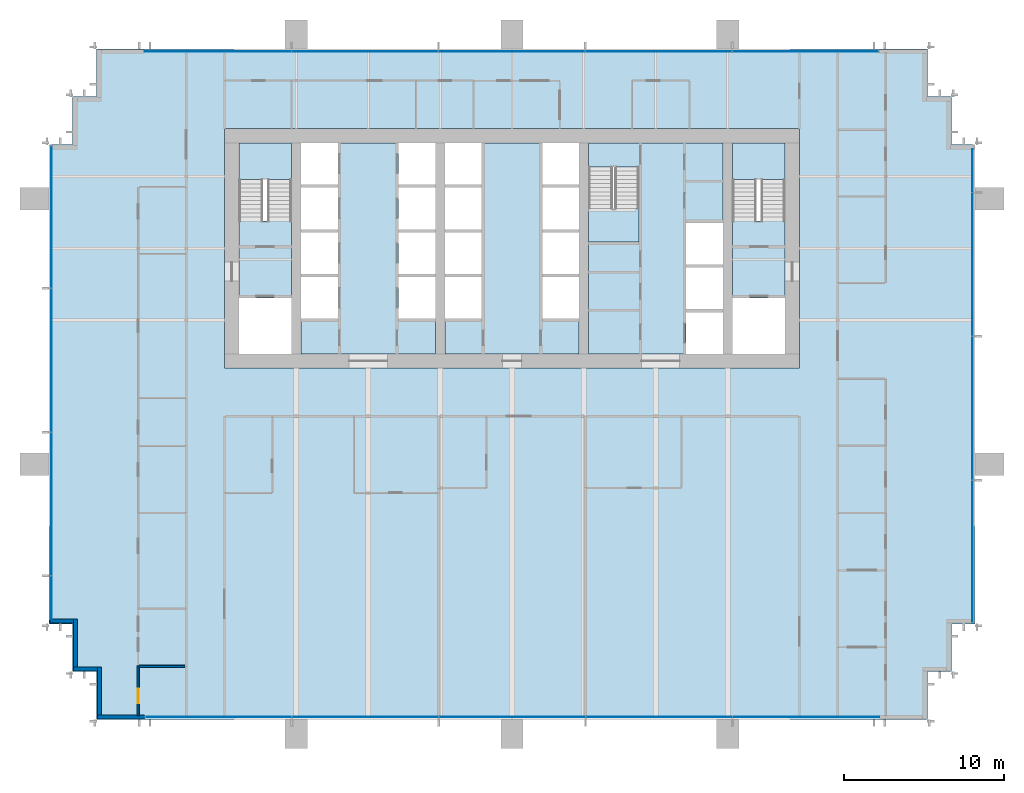
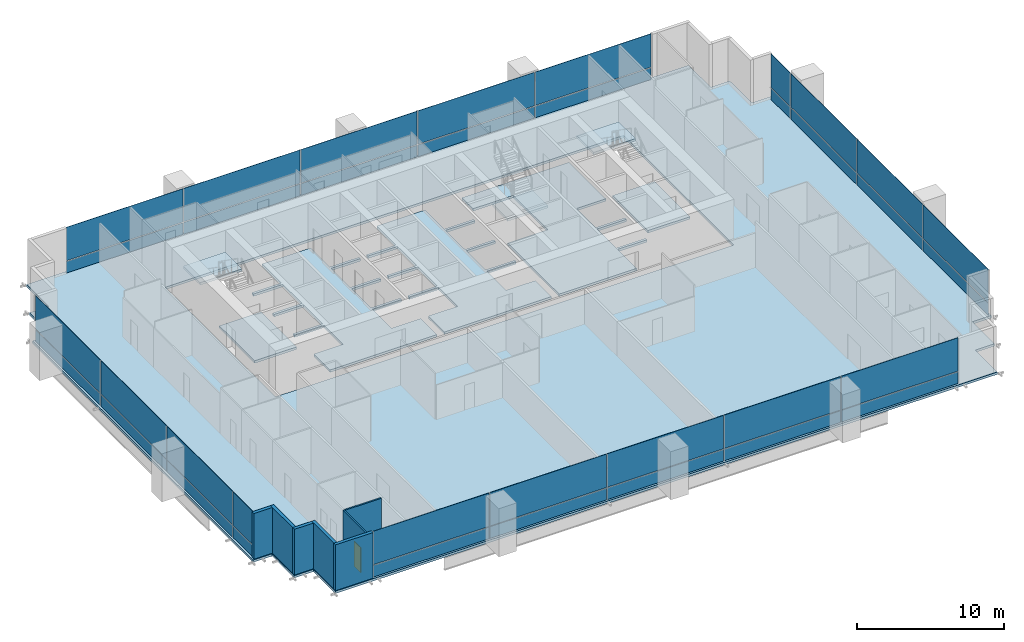
# One storey, part 9 of 15: 36 plates, 9 slabs, 7 walls, 1 door, 1 opening, 7 elements without a shape of their own.
"""IFC4 building model written with IfcOpenShell, lengths in metres."""

from ifc_helpers import new_model, si_unit, direction, frame, frame_2d, origin, origin_2d, place, context, subcontext, project, spatial, polyline, rectangle, outline, extrude, material, layer, layer_set, type_object, element, fill, aggregate, save


model = new_model("IFC4")

# Units and contexts
model_context = context("Model", 3, precision=1e-05, world=origin(), true_north=direction((0.0, 1.0)))
body_context = subcontext(model_context, "Body", "Model", "MODEL_VIEW")
ifc_project = project(units=[si_unit("LENGTHUNIT", "METRE"), si_unit("AREAUNIT", "SQUARE_METRE"), si_unit("VOLUMEUNIT", "CUBIC_METRE"), si_unit("PLANEANGLEUNIT", "RADIAN"), si_unit("MASSUNIT", "GRAM", prefix="KILO")], contexts=[model_context])

# Site, building, storey
site_placement = place(None, origin())
site = spatial("IfcSite", under=ifc_project, at=site_placement, CompositionType="ELEMENT")
building_placement = place(site_placement, origin())
building = spatial("IfcBuilding", under=site, at=building_placement, Name="Rattan Terrace Tower", CompositionType="ELEMENT")
storey_placement = place(building_placement, frame((0.0, 0.0, 142.10009765625)))
storey = spatial("IfcBuildingStorey", under=building, at=storey_placement, Name="L32", CompositionType="ELEMENT", Elevation=142.10009765625)

# Stair, slab
ifc_material_1 = material(Name="Concrete C40/50", Category="concrete")
stair_type = type_object("IfcStairType", Name="Core exit stair 1500", PredefinedType="HALF_TURN_STAIR", material=ifc_material_1)
stair_1_placement = place(storey_placement, origin())
stair_1 = element("IfcStair", 1, at=stair_1_placement, inside=storey, type_object=stair_type, Name="L32 exit stair 1", PredefinedType="HALF_TURN_STAIR")
ifc_material_2 = material(Name="Concrete C40/50", Category="concrete")
ifc_layer_1 = layer(ifc_material_2, 0.199951171875)
ifc_layer_set_1 = layer_set([ifc_layer_1], Name="Core exit stair landing")
slab_type_1 = type_object("IfcSlabType", Name="Core exit stair landing", PredefinedType="LANDING", material=ifc_layer_set_1)
slab_1_placement = place(storey_placement, frame((0.0, 0.0, 1.7998046875)))
slab_1 = element("IfcSlab", 2, at=slab_1_placement, type_object=slab_type_1, Name="S1 landing 1", PredefinedType="LANDING", context=body_context, shape_type="SweptSolid", body=[
    extrude(outline(polyline([(-13.800048828125, 4.300048828125), (-13.800048828125, 6.60009765625), (-17.10009765625, 6.60009765625), (-17.10009765625, 4.300048828125), (-13.800048828125, 4.300048828125)])), origin(), (0.0, 0.0, 1.0), 0.2001953125),
])
aggregate(stair_1, [slab_1])

stair_2_placement = place(storey_placement, origin())
stair_2 = element("IfcStair", 3, at=stair_2_placement, inside=storey, type_object=stair_type, Name="L32 exit stair 2", PredefinedType="HALF_TURN_STAIR")
slab_2_placement = place(storey_placement, frame((0.0, 0.0, 1.7998046875)))
slab_2 = element("IfcSlab", 4, at=slab_2_placement, type_object=slab_type_1, Name="S2 landing 1", PredefinedType="LANDING", context=body_context, shape_type="SweptSolid", body=[
    extrude(outline(polyline([(17.10009765625, 4.300048828125), (17.10009765625, 6.60009765625), (13.800048828125, 6.60009765625), (13.800048828125, 4.300048828125), (17.10009765625, 4.300048828125)])), origin(), (0.0, 0.0, 1.0), 0.2001953125),
])
aggregate(stair_2, [slab_2])

stair_3_placement = place(storey_placement, origin())
stair_3 = element("IfcStair", 5, at=stair_3_placement, inside=storey, type_object=stair_type, Name="L32 exit stair 3", PredefinedType="HALF_TURN_STAIR")
slab_3_placement = place(storey_placement, frame((0.0, 0.0, 1.7998046875)))
slab_3 = element("IfcSlab", 6, at=slab_3_placement, type_object=slab_type_1, Name="S3 landing 1", PredefinedType="LANDING", context=body_context, shape_type="SweptSolid", body=[
    extrude(outline(polyline([(4.800048828125, 2.5), (4.800048828125, 0.39990234375), (7.949951171875, 0.39990234375), (7.949951171875, 2.5), (4.800048828125, 2.5)])), origin(), (0.0, 0.0, 1.0), 0.2001953125),
])
aggregate(stair_3, [slab_3])

# Curtain wall, plates
ifc_material_3 = material(Name="Aluminium and glass", Category="aluminium")
curtain_wall_type = type_object("IfcCurtainWallType", Name="Facade Unitised Curtain Wall", PredefinedType="NOTDEFINED", material=ifc_material_3)
curtain_wall_1_placement = place(storey_placement, origin())
curtain_wall_1 = element("IfcCurtainWall", 7, at=curtain_wall_1_placement, inside=storey, type_object=curtain_wall_type, Name="Curtain wall L32-1", PredefinedType="NOTDEFINED")
ifc_material_4 = material(Name="Aluminium insulated spandrel panel", Category="aluminium")
ifc_layer_2 = layer(ifc_material_4, 0.028076171875)
ifc_layer_set_2 = layer_set([ifc_layer_2], Name="Facade CW Spandrel Panel")
plate_type_1 = type_object("IfcPlateType", Name="Facade CW Spandrel Panel", PredefinedType="CURTAIN_PANEL", material=ifc_layer_set_2)
plate_1_placement = place(storey_placement, frame((28.830078125, -18.96240234375, 0.0), z_axis=(0.0, 0.0, 1.0), x_axis=(0.0, 1.0, 0.0)))
plate_1 = element("IfcPlate", 8, at=plate_1_placement, type_object=plate_type_1, Name="Panel cwl-L32-001.1.1", PredefinedType="CURTAIN_PANEL", context=body_context, shape_type="SweptSolid", body=[
    extrude(rectangle(XDim=8.864990234375, YDim=0.028076171875, at=origin_2d()), origin(), (0.0, 0.0, 1.0), 0.969970703125),
])
plate_2_placement = place(storey_placement, frame((28.830078125, -10.0, 0.0), z_axis=(0.0, 0.0, 1.0), x_axis=(0.0, 1.0, 0.0)))
plate_2 = element("IfcPlate", 9, at=plate_2_placement, type_object=plate_type_1, Name="Panel cwl-L32-001.2.1", PredefinedType="CURTAIN_PANEL", context=body_context, shape_type="SweptSolid", body=[
    extrude(rectangle(XDim=8.93994140625, YDim=0.028076171875, at=origin_2d()), origin(), (0.0, 0.0, 1.0), 0.969970703125),
])
plate_3_placement = place(storey_placement, frame((28.830078125, -1.0, 0.0), z_axis=(0.0, 0.0, 1.0), x_axis=(0.0, 1.0, 0.0)))
plate_3 = element("IfcPlate", 10, at=plate_3_placement, type_object=plate_type_1, Name="Panel cwl-L32-001.3.1", PredefinedType="CURTAIN_PANEL", context=body_context, shape_type="SweptSolid", body=[
    extrude(rectangle(XDim=8.93994140625, YDim=0.028076171875, at=origin_2d()), origin(), (0.0, 0.0, 1.0), 0.969970703125),
])
plate_4_placement = place(storey_placement, frame((28.830078125, 4.867431640625, 0.0), z_axis=(0.0, 0.0, 1.0), x_axis=(0.0, 1.0, 0.0)))
plate_4 = element("IfcPlate", 11, at=plate_4_placement, type_object=plate_type_1, Name="Panel cwl-L32-001.4.1", PredefinedType="CURTAIN_PANEL", context=body_context, shape_type="SweptSolid", body=[
    extrude(rectangle(XDim=2.675048828125, YDim=0.028076171875, at=origin_2d()), origin(), (0.0, 0.0, 1.0), 0.969970703125),
])

curtain_wall_2_placement = place(storey_placement, origin())
curtain_wall_2 = element("IfcCurtainWall", 12, at=curtain_wall_2_placement, inside=storey, type_object=curtain_wall_type, Name="Curtain wall L32-2", PredefinedType="NOTDEFINED")
plate_5_placement = place(storey_placement, frame((18.384521484375, 12.330078125, 0.0), z_axis=(0.0, 0.0, 1.0), x_axis=(-1.0, 0.0, 0.0)))
plate_5 = element("IfcPlate", 13, at=plate_5_placement, type_object=plate_type_1, Name="Panel cwl-L32-002.1.1", PredefinedType="CURTAIN_PANEL", context=body_context, shape_type="SweptSolid", body=[
    extrude(rectangle(XDim=9.111083984375, YDim=0.028076171875, at=origin_2d()), origin(), (0.0, 0.0, 1.0), 0.969970703125),
])
plate_6_placement = place(storey_placement, frame((9.198486328125, 12.330078125, 0.0), z_axis=(0.0, 0.0, 1.0), x_axis=(-1.0, 0.0, 0.0)))
plate_6 = element("IfcPlate", 14, at=plate_6_placement, type_object=plate_type_1, Name="Panel cwl-L32-002.2.1", PredefinedType="CURTAIN_PANEL", context=body_context, shape_type="SweptSolid", body=[
    extrude(rectangle(XDim=9.14111328125, YDim=0.028076171875, at=origin_2d()), origin(), (0.0, 0.0, 1.0), 0.969970703125),
])
plate_7_placement = place(storey_placement, frame((-0.00244140625, 12.330078125, 0.0), z_axis=(0.0, 0.0, 1.0), x_axis=(-1.0, 0.0, 0.0)))
plate_7 = element("IfcPlate", 15, at=plate_7_placement, type_object=plate_type_1, Name="Panel cwl-L32-002.3.1", PredefinedType="CURTAIN_PANEL", context=body_context, shape_type="SweptSolid", body=[
    extrude(rectangle(XDim=9.14111328125, YDim=0.028076171875, at=origin_2d()), origin(), (0.0, 0.0, 1.0), 0.969970703125),
])
plate_8_placement = place(storey_placement, frame((-9.20361328125, 12.330078125, 0.0), z_axis=(0.0, 0.0, 1.0), x_axis=(-1.0, 0.0, 0.0)))
plate_8 = element("IfcPlate", 16, at=plate_8_placement, type_object=plate_type_1, Name="Panel cwl-L32-002.4.1", PredefinedType="CURTAIN_PANEL", context=body_context, shape_type="SweptSolid", body=[
    extrude(rectangle(XDim=9.14111328125, YDim=0.028076171875, at=origin_2d()), origin(), (0.0, 0.0, 1.0), 0.969970703125),
])
plate_9_placement = place(storey_placement, frame((-18.4169921875, 12.330078125, 0.0), z_axis=(0.0, 0.0, 1.0), x_axis=(-1.0, 0.0, 0.0)))
plate_9 = element("IfcPlate", 17, at=plate_9_placement, type_object=plate_type_1, Name="Panel cwl-L32-002.5.1", PredefinedType="CURTAIN_PANEL", context=body_context, shape_type="SweptSolid", body=[
    extrude(rectangle(XDim=9.166015625, YDim=0.028076171875, at=origin_2d()), origin(), (0.0, 0.0, 1.0), 0.969970703125),
])

curtain_wall_3_placement = place(storey_placement, origin())
curtain_wall_3 = element("IfcCurtainWall", 18, at=curtain_wall_3_placement, inside=storey, type_object=curtain_wall_type, Name="Curtain wall L32-3", PredefinedType="NOTDEFINED")
plate_10_placement = place(storey_placement, frame((-28.830078125, 1.96240234375, 0.0), z_axis=(0.0, 0.0, 1.0), x_axis=(0.0, -1.0, 0.0)))
plate_10 = element("IfcPlate", 19, at=plate_10_placement, type_object=plate_type_1, Name="Panel cwl-L32-003.1.1", PredefinedType="CURTAIN_PANEL", context=body_context, shape_type="SweptSolid", body=[
    extrude(rectangle(XDim=8.864990234375, YDim=0.028076171875, at=origin_2d()), origin(), (0.0, 0.0, 1.0), 0.969970703125),
])
plate_11_placement = place(storey_placement, frame((-28.830078125, -7.0, 0.0), z_axis=(0.0, 0.0, 1.0), x_axis=(0.0, -1.0, 0.0)))
plate_11 = element("IfcPlate", 20, at=plate_11_placement, type_object=plate_type_1, Name="Panel cwl-L32-003.2.1", PredefinedType="CURTAIN_PANEL", context=body_context, shape_type="SweptSolid", body=[
    extrude(rectangle(XDim=8.93994140625, YDim=0.028076171875, at=origin_2d()), origin(), (0.0, 0.0, 1.0), 0.969970703125),
])
plate_12_placement = place(storey_placement, frame((-28.830078125, -16.0, 0.0), z_axis=(0.0, 0.0, 1.0), x_axis=(0.0, -1.0, 0.0)))
plate_12 = element("IfcPlate", 21, at=plate_12_placement, type_object=plate_type_1, Name="Panel cwl-L32-003.3.1", PredefinedType="CURTAIN_PANEL", context=body_context, shape_type="SweptSolid", body=[
    extrude(rectangle(XDim=8.93994140625, YDim=0.028076171875, at=origin_2d()), origin(), (0.0, 0.0, 1.0), 0.969970703125),
])
plate_13_placement = place(storey_placement, frame((-28.830078125, -21.867431640625, 0.0), z_axis=(0.0, 0.0, 1.0), x_axis=(0.0, -1.0, 0.0)))
plate_13 = element("IfcPlate", 22, at=plate_13_placement, type_object=plate_type_1, Name="Panel cwl-L32-003.4.1", PredefinedType="CURTAIN_PANEL", context=body_context, shape_type="SweptSolid", body=[
    extrude(rectangle(XDim=2.675048828125, YDim=0.028076171875, at=origin_2d()), origin(), (0.0, 0.0, 1.0), 0.969970703125),
])

curtain_wall_4_placement = place(storey_placement, origin())
curtain_wall_4 = element("IfcCurtainWall", 23, at=curtain_wall_4_placement, inside=storey, type_object=curtain_wall_type, Name="Curtain wall L32-4", PredefinedType="NOTDEFINED")
plate_14_placement = place(storey_placement, frame((-18.384521484375, -29.330078125, 0.0), z_axis=(0.0, 0.0, 1.0), x_axis=(1.0, 0.0, 0.0)))
plate_14 = element("IfcPlate", 24, at=plate_14_placement, type_object=plate_type_1, Name="Panel cwl-L32-004.1.1", PredefinedType="CURTAIN_PANEL", context=body_context, shape_type="SweptSolid", body=[
    extrude(rectangle(XDim=9.111083984375, YDim=0.028076171875, at=origin_2d()), origin(), (0.0, 0.0, 1.0), 0.969970703125),
])
plate_15_placement = place(storey_placement, frame((-9.198486328125, -29.330078125, 0.0), z_axis=(0.0, 0.0, 1.0), x_axis=(1.0, 0.0, 0.0)))
plate_15 = element("IfcPlate", 25, at=plate_15_placement, type_object=plate_type_1, Name="Panel cwl-L32-004.2.1", PredefinedType="CURTAIN_PANEL", context=body_context, shape_type="SweptSolid", body=[
    extrude(rectangle(XDim=9.14111328125, YDim=0.028076171875, at=origin_2d()), origin(), (0.0, 0.0, 1.0), 0.969970703125),
])
plate_16_placement = place(storey_placement, frame((0.00244140625, -29.330078125, 0.0), z_axis=(0.0, 0.0, 1.0), x_axis=(1.0, 0.0, 0.0)))
plate_16 = element("IfcPlate", 26, at=plate_16_placement, type_object=plate_type_1, Name="Panel cwl-L32-004.3.1", PredefinedType="CURTAIN_PANEL", context=body_context, shape_type="SweptSolid", body=[
    extrude(rectangle(XDim=9.14111328125, YDim=0.028076171875, at=origin_2d()), origin(), (0.0, 0.0, 1.0), 0.969970703125),
])
plate_17_placement = place(storey_placement, frame((9.20361328125, -29.330078125, 0.0), z_axis=(0.0, 0.0, 1.0), x_axis=(1.0, 0.0, 0.0)))
plate_17 = element("IfcPlate", 27, at=plate_17_placement, type_object=plate_type_1, Name="Panel cwl-L32-004.4.1", PredefinedType="CURTAIN_PANEL", context=body_context, shape_type="SweptSolid", body=[
    extrude(rectangle(XDim=9.14111328125, YDim=0.028076171875, at=origin_2d()), origin(), (0.0, 0.0, 1.0), 0.969970703125),
])
plate_18_placement = place(storey_placement, frame((18.4169921875, -29.330078125, 0.0), z_axis=(0.0, 0.0, 1.0), x_axis=(1.0, 0.0, 0.0)))
plate_18 = element("IfcPlate", 28, at=plate_18_placement, type_object=plate_type_1, Name="Panel cwl-L32-004.5.1", PredefinedType="CURTAIN_PANEL", context=body_context, shape_type="SweptSolid", body=[
    extrude(rectangle(XDim=9.166015625, YDim=0.028076171875, at=origin_2d()), origin(), (0.0, 0.0, 1.0), 0.969970703125),
])

# Plate
ifc_material_5 = material(Name="Clear low-iron glass", Category="glass")
ifc_layer_3 = layer(ifc_material_5, 0.028076171875)
ifc_layer_set_3 = layer_set([ifc_layer_3], Name="Facade CW Vision Panel")
plate_type_2 = type_object("IfcPlateType", Name="Facade CW Vision Panel", PredefinedType="CURTAIN_PANEL", material=ifc_layer_set_3)
plate_19_placement = place(storey_placement, frame((28.830078125, -18.96240234375, 1.02978515625), z_axis=(0.0, 0.0, 1.0), x_axis=(0.0, 1.0, 0.0)))
plate_19 = element("IfcPlate", 29, at=plate_19_placement, type_object=plate_type_2, Name="Panel cwl-L32-001.1.2", PredefinedType="CURTAIN_PANEL", context=body_context, shape_type="SweptSolid", body=[
    extrude(rectangle(XDim=8.864990234375, YDim=0.028076171875, at=origin_2d()), origin(), (0.0, 0.0, 1.0), 2.77001953125),
])

plate_20_placement = place(storey_placement, frame((28.830078125, -10.0, 1.02978515625), z_axis=(0.0, 0.0, 1.0), x_axis=(0.0, 1.0, 0.0)))
plate_20 = element("IfcPlate", 30, at=plate_20_placement, type_object=plate_type_2, Name="Panel cwl-L32-001.2.2", PredefinedType="CURTAIN_PANEL", context=body_context, shape_type="SweptSolid", body=[
    extrude(rectangle(XDim=8.93994140625, YDim=0.028076171875, at=origin_2d()), origin(), (0.0, 0.0, 1.0), 2.77001953125),
])

plate_21_placement = place(storey_placement, frame((28.830078125, -1.0, 1.02978515625), z_axis=(0.0, 0.0, 1.0), x_axis=(0.0, 1.0, 0.0)))
plate_21 = element("IfcPlate", 31, at=plate_21_placement, type_object=plate_type_2, Name="Panel cwl-L32-001.3.2", PredefinedType="CURTAIN_PANEL", context=body_context, shape_type="SweptSolid", body=[
    extrude(rectangle(XDim=8.93994140625, YDim=0.028076171875, at=origin_2d()), origin(), (0.0, 0.0, 1.0), 2.77001953125),
])

plate_22_placement = place(storey_placement, frame((28.830078125, 4.867431640625, 1.02978515625), z_axis=(0.0, 0.0, 1.0), x_axis=(0.0, 1.0, 0.0)))
plate_22 = element("IfcPlate", 32, at=plate_22_placement, type_object=plate_type_2, Name="Panel cwl-L32-001.4.2", PredefinedType="CURTAIN_PANEL", context=body_context, shape_type="SweptSolid", body=[
    extrude(rectangle(XDim=2.675048828125, YDim=0.028076171875, at=origin_2d()), origin(), (0.0, 0.0, 1.0), 2.77001953125),
])

aggregate(curtain_wall_1, [plate_1, plate_19, plate_2, plate_20, plate_3, plate_21, plate_4, plate_22])

plate_23_placement = place(storey_placement, frame((18.384521484375, 12.330078125, 1.02978515625), z_axis=(0.0, 0.0, 1.0), x_axis=(-1.0, 0.0, 0.0)))
plate_23 = element("IfcPlate", 33, at=plate_23_placement, type_object=plate_type_2, Name="Panel cwl-L32-002.1.2", PredefinedType="CURTAIN_PANEL", context=body_context, shape_type="SweptSolid", body=[
    extrude(rectangle(XDim=9.111083984375, YDim=0.028076171875, at=origin_2d()), origin(), (0.0, 0.0, 1.0), 2.77001953125),
])

plate_24_placement = place(storey_placement, frame((9.198486328125, 12.330078125, 1.02978515625), z_axis=(0.0, 0.0, 1.0), x_axis=(-1.0, 0.0, 0.0)))
plate_24 = element("IfcPlate", 34, at=plate_24_placement, type_object=plate_type_2, Name="Panel cwl-L32-002.2.2", PredefinedType="CURTAIN_PANEL", context=body_context, shape_type="SweptSolid", body=[
    extrude(rectangle(XDim=9.14111328125, YDim=0.028076171875, at=origin_2d()), origin(), (0.0, 0.0, 1.0), 2.77001953125),
])

plate_25_placement = place(storey_placement, frame((-0.00244140625, 12.330078125, 1.02978515625), z_axis=(0.0, 0.0, 1.0), x_axis=(-1.0, 0.0, 0.0)))
plate_25 = element("IfcPlate", 35, at=plate_25_placement, type_object=plate_type_2, Name="Panel cwl-L32-002.3.2", PredefinedType="CURTAIN_PANEL", context=body_context, shape_type="SweptSolid", body=[
    extrude(rectangle(XDim=9.14111328125, YDim=0.028076171875, at=origin_2d()), origin(), (0.0, 0.0, 1.0), 2.77001953125),
])

plate_26_placement = place(storey_placement, frame((-9.20361328125, 12.330078125, 1.02978515625), z_axis=(0.0, 0.0, 1.0), x_axis=(-1.0, 0.0, 0.0)))
plate_26 = element("IfcPlate", 36, at=plate_26_placement, type_object=plate_type_2, Name="Panel cwl-L32-002.4.2", PredefinedType="CURTAIN_PANEL", context=body_context, shape_type="SweptSolid", body=[
    extrude(rectangle(XDim=9.14111328125, YDim=0.028076171875, at=origin_2d()), origin(), (0.0, 0.0, 1.0), 2.77001953125),
])

plate_27_placement = place(storey_placement, frame((-18.4169921875, 12.330078125, 1.02978515625), z_axis=(0.0, 0.0, 1.0), x_axis=(-1.0, 0.0, 0.0)))
plate_27 = element("IfcPlate", 37, at=plate_27_placement, type_object=plate_type_2, Name="Panel cwl-L32-002.5.2", PredefinedType="CURTAIN_PANEL", context=body_context, shape_type="SweptSolid", body=[
    extrude(rectangle(XDim=9.166015625, YDim=0.028076171875, at=origin_2d()), origin(), (0.0, 0.0, 1.0), 2.77001953125),
])

aggregate(curtain_wall_2, [plate_5, plate_23, plate_6, plate_24, plate_7, plate_25, plate_8, plate_26, plate_9, plate_27])

plate_28_placement = place(storey_placement, frame((-28.830078125, 1.96240234375, 1.02978515625), z_axis=(0.0, 0.0, 1.0), x_axis=(0.0, -1.0, 0.0)))
plate_28 = element("IfcPlate", 38, at=plate_28_placement, type_object=plate_type_2, Name="Panel cwl-L32-003.1.2", PredefinedType="CURTAIN_PANEL", context=body_context, shape_type="SweptSolid", body=[
    extrude(rectangle(XDim=8.864990234375, YDim=0.028076171875, at=origin_2d()), origin(), (0.0, 0.0, 1.0), 2.77001953125),
])

plate_29_placement = place(storey_placement, frame((-28.830078125, -7.0, 1.02978515625), z_axis=(0.0, 0.0, 1.0), x_axis=(0.0, -1.0, 0.0)))
plate_29 = element("IfcPlate", 39, at=plate_29_placement, type_object=plate_type_2, Name="Panel cwl-L32-003.2.2", PredefinedType="CURTAIN_PANEL", context=body_context, shape_type="SweptSolid", body=[
    extrude(rectangle(XDim=8.93994140625, YDim=0.028076171875, at=origin_2d()), origin(), (0.0, 0.0, 1.0), 2.77001953125),
])

plate_30_placement = place(storey_placement, frame((-28.830078125, -16.0, 1.02978515625), z_axis=(0.0, 0.0, 1.0), x_axis=(0.0, -1.0, 0.0)))
plate_30 = element("IfcPlate", 40, at=plate_30_placement, type_object=plate_type_2, Name="Panel cwl-L32-003.3.2", PredefinedType="CURTAIN_PANEL", context=body_context, shape_type="SweptSolid", body=[
    extrude(rectangle(XDim=8.93994140625, YDim=0.028076171875, at=origin_2d()), origin(), (0.0, 0.0, 1.0), 2.77001953125),
])

plate_31_placement = place(storey_placement, frame((-28.830078125, -21.867431640625, 1.02978515625), z_axis=(0.0, 0.0, 1.0), x_axis=(0.0, -1.0, 0.0)))
plate_31 = element("IfcPlate", 41, at=plate_31_placement, type_object=plate_type_2, Name="Panel cwl-L32-003.4.2", PredefinedType="CURTAIN_PANEL", context=body_context, shape_type="SweptSolid", body=[
    extrude(rectangle(XDim=2.675048828125, YDim=0.028076171875, at=origin_2d()), origin(), (0.0, 0.0, 1.0), 2.77001953125),
])

aggregate(curtain_wall_3, [plate_10, plate_28, plate_11, plate_29, plate_12, plate_30, plate_13, plate_31])

plate_32_placement = place(storey_placement, frame((-18.384521484375, -29.330078125, 1.02978515625), z_axis=(0.0, 0.0, 1.0), x_axis=(1.0, 0.0, 0.0)))
plate_32 = element("IfcPlate", 42, at=plate_32_placement, type_object=plate_type_2, Name="Panel cwl-L32-004.1.2", PredefinedType="CURTAIN_PANEL", context=body_context, shape_type="SweptSolid", body=[
    extrude(rectangle(XDim=9.111083984375, YDim=0.028076171875, at=origin_2d()), origin(), (0.0, 0.0, 1.0), 2.77001953125),
])

plate_33_placement = place(storey_placement, frame((-9.198486328125, -29.330078125, 1.02978515625), z_axis=(0.0, 0.0, 1.0), x_axis=(1.0, 0.0, 0.0)))
plate_33 = element("IfcPlate", 43, at=plate_33_placement, type_object=plate_type_2, Name="Panel cwl-L32-004.2.2", PredefinedType="CURTAIN_PANEL", context=body_context, shape_type="SweptSolid", body=[
    extrude(rectangle(XDim=9.14111328125, YDim=0.028076171875, at=origin_2d()), origin(), (0.0, 0.0, 1.0), 2.77001953125),
])

plate_34_placement = place(storey_placement, frame((0.00244140625, -29.330078125, 1.02978515625), z_axis=(0.0, 0.0, 1.0), x_axis=(1.0, 0.0, 0.0)))
plate_34 = element("IfcPlate", 44, at=plate_34_placement, type_object=plate_type_2, Name="Panel cwl-L32-004.3.2", PredefinedType="CURTAIN_PANEL", context=body_context, shape_type="SweptSolid", body=[
    extrude(rectangle(XDim=9.14111328125, YDim=0.028076171875, at=origin_2d()), origin(), (0.0, 0.0, 1.0), 2.77001953125),
])

plate_35_placement = place(storey_placement, frame((9.20361328125, -29.330078125, 1.02978515625), z_axis=(0.0, 0.0, 1.0), x_axis=(1.0, 0.0, 0.0)))
plate_35 = element("IfcPlate", 45, at=plate_35_placement, type_object=plate_type_2, Name="Panel cwl-L32-004.4.2", PredefinedType="CURTAIN_PANEL", context=body_context, shape_type="SweptSolid", body=[
    extrude(rectangle(XDim=9.14111328125, YDim=0.028076171875, at=origin_2d()), origin(), (0.0, 0.0, 1.0), 2.77001953125),
])

plate_36_placement = place(storey_placement, frame((18.4169921875, -29.330078125, 1.02978515625), z_axis=(0.0, 0.0, 1.0), x_axis=(1.0, 0.0, 0.0)))
plate_36 = element("IfcPlate", 46, at=plate_36_placement, type_object=plate_type_2, Name="Panel cwl-L32-004.5.2", PredefinedType="CURTAIN_PANEL", context=body_context, shape_type="SweptSolid", body=[
    extrude(rectangle(XDim=9.166015625, YDim=0.028076171875, at=origin_2d()), origin(), (0.0, 0.0, 1.0), 2.77001953125),
])

aggregate(curtain_wall_4, [plate_14, plate_32, plate_15, plate_33, plate_16, plate_34, plate_17, plate_35, plate_18, plate_36])

# Slabs
ifc_material_6 = material(Name="Concrete C35/45", Category="concrete")
ifc_layer_4 = layer(ifc_material_6, 0.199951171875)
ifc_layer_set_4 = layer_set([ifc_layer_4], Name="Frame composite floor slab 200")
slab_type_2 = type_object("IfcSlabType", Name="Frame composite floor slab 200", PredefinedType="FLOOR", material=ifc_layer_set_4)
slab_4_placement = place(storey_placement, frame((0.0, 0.0, -0.2001953125)))
element("IfcSlab", 47, at=slab_4_placement, inside=storey, type_object=slab_type_2, Name="Floor slab", PredefinedType="FLOOR", context=body_context, shape_type="SweptSolid", body=[
    extrude(outline(polyline([(-23.0, -29.5), (23.0, -29.5), (26.0, -29.5), (26.0, -26.5), (27.5, -26.5), (27.5, -23.5), (29.0, -23.5), (29.0, 6.5), (27.5, 6.5), (27.5, 9.5), (26.0, 9.5), (26.0, 12.5), (23.0, 12.5), (-23.0, 12.5), (-26.0, 12.5), (-26.0, 9.5), (-27.5, 9.5), (-27.5, 6.5), (-29.0, 6.5), (-29.0, -23.5), (-27.5, -23.5), (-27.5, -26.5), (-26.0, -26.5), (-26.0, -29.5), (-23.0, -29.5)]), holes=[polyline([(-18.0, -6.60009765625), (-18.0, -7.5), (18.0, -7.5), (18.0, -6.60009765625), (18.0, 6.60009765625), (18.0, 7.5), (-18.0, 7.5), (-18.0, 6.60009765625), (-18.0, -6.60009765625)])]), origin(), (0.0, 0.0, 1.0), 0.2001953125),
])
slab_5_placement = place(storey_placement, frame((0.0, 0.0, -0.2001953125)))
element("IfcSlab", 48, at=slab_5_placement, inside=storey, type_object=slab_type_2, Name="Floor slab", PredefinedType="FLOOR", context=body_context, shape_type="SweptSolid", body=[
    extrude(outline(polyline([(-10.89990234375, 6.60009765625), (-10.89990234375, 4.0), (-13.199951171875, 4.0), (-13.199951171875, 3.800048828125), (-10.89990234375, 3.800048828125), (-10.89990234375, 1.199951171875), (-13.199951171875, 1.199951171875), (-13.199951171875, 1.0), (-10.89990234375, 1.0), (-10.89990234375, -1.60009765625), (-13.199951171875, -1.60009765625), (-13.199951171875, -1.800048828125), (-10.89990234375, -1.800048828125), (-10.89990234375, -4.39990234375), (-13.199951171875, -4.39990234375), (-13.199951171875, -6.60009765625), (-4.800048828125, -6.60009765625), (-4.800048828125, -4.39990234375), (-7.10009765625, -4.39990234375), (-7.10009765625, -1.800048828125), (-4.800048828125, -1.800048828125), (-4.800048828125, -1.60009765625), (-7.10009765625, -1.60009765625), (-7.10009765625, 1.0), (-4.800048828125, 1.0), (-4.800048828125, 1.199951171875), (-7.10009765625, 1.199951171875), (-7.10009765625, 3.800048828125), (-4.800048828125, 3.800048828125), (-4.800048828125, 4.0), (-7.10009765625, 4.0), (-7.10009765625, 6.60009765625), (-10.89990234375, 6.60009765625)])), origin(), (0.0, 0.0, 1.0), 0.2001953125),
])
slab_6_placement = place(storey_placement, frame((0.0, 0.0, -0.2001953125)))
element("IfcSlab", 49, at=slab_6_placement, inside=storey, type_object=slab_type_2, Name="Floor slab", PredefinedType="FLOOR", context=body_context, shape_type="SweptSolid", body=[
    extrude(outline(polyline([(-17.10009765625, -3.10009765625), (-13.800048828125, -3.10009765625), (-13.800048828125, 1.7099609375), (-17.10009765625, 1.7099609375), (-17.10009765625, -3.10009765625)])), origin(), (0.0, 0.0, 1.0), 0.2001953125),
])
slab_7_placement = place(storey_placement, frame((0.0, 0.0, -0.2001953125)))
element("IfcSlab", 50, at=slab_7_placement, inside=storey, type_object=slab_type_2, Name="Floor slab", PredefinedType="FLOOR", context=body_context, shape_type="SweptSolid", body=[
    extrude(outline(polyline([(-4.199951171875, 4.0), (-4.199951171875, 3.800048828125), (-1.89990234375, 3.800048828125), (-1.89990234375, 1.199951171875), (-4.199951171875, 1.199951171875), (-4.199951171875, 1.0), (-1.89990234375, 1.0), (-1.89990234375, -1.60009765625), (-4.199951171875, -1.60009765625), (-4.199951171875, -1.800048828125), (-1.89990234375, -1.800048828125), (-1.89990234375, -4.39990234375), (-4.199951171875, -4.39990234375), (-4.199951171875, -6.60009765625), (4.199951171875, -6.60009765625), (4.199951171875, -4.39990234375), (1.89990234375, -4.39990234375), (1.89990234375, -1.800048828125), (4.199951171875, -1.800048828125), (4.199951171875, -1.60009765625), (1.89990234375, -1.60009765625), (1.89990234375, 1.0), (4.199951171875, 1.0), (4.199951171875, 1.199951171875), (1.89990234375, 1.199951171875), (1.89990234375, 3.800048828125), (4.199951171875, 3.800048828125), (4.199951171875, 4.0), (1.89990234375, 4.0), (1.89990234375, 6.60009765625), (-1.89990234375, 6.60009765625), (-1.89990234375, 4.0), (-4.199951171875, 4.0)])), origin(), (0.0, 0.0, 1.0), 0.2001953125),
])
slab_8_placement = place(storey_placement, frame((0.0, 0.0, -0.2001953125)))
element("IfcSlab", 51, at=slab_8_placement, inside=storey, type_object=slab_type_2, Name="Floor slab", PredefinedType="FLOOR", context=body_context, shape_type="SweptSolid", body=[
    extrude(outline(polyline([(4.800048828125, 5.090087890625), (7.949951171875, 5.090087890625), (7.949951171875, 0.39990234375), (4.800048828125, 0.39990234375), (4.800048828125, -6.60009765625), (10.89990234375, -6.60009765625), (10.89990234375, -4.0), (13.199951171875, -4.0), (13.199951171875, -3.800048828125), (10.89990234375, -3.800048828125), (10.89990234375, -1.199951171875), (13.199951171875, -1.199951171875), (13.199951171875, -1.0), (10.89990234375, -1.0), (10.89990234375, 1.60009765625), (13.199951171875, 1.60009765625), (13.199951171875, 6.60009765625), (4.800048828125, 6.60009765625), (4.800048828125, 5.090087890625)])), origin(), (0.0, 0.0, 1.0), 0.2001953125),
])
slab_9_placement = place(storey_placement, frame((0.0, 0.0, -0.2001953125)))
element("IfcSlab", 52, at=slab_9_placement, inside=storey, type_object=slab_type_2, Name="Floor slab", PredefinedType="FLOOR", context=body_context, shape_type="SweptSolid", body=[
    extrude(outline(polyline([(13.800048828125, -3.10009765625), (17.10009765625, -3.10009765625), (17.10009765625, 1.7099609375), (13.800048828125, 1.7099609375), (13.800048828125, -3.10009765625)])), origin(), (0.0, 0.0, 1.0), 0.2001953125),
])

# Walls
ifc_material_7 = material(Name="Insulated aluminium-clad stud wall", Category="aluminium")
ifc_layer_5 = layer(ifc_material_7, 0.25)
ifc_layer_set_5 = layer_set([ifc_layer_5], Name="Facade Riser Wall 250")
wall_type_1 = type_object("IfcWallType", Name="Facade Riser Wall 250", PredefinedType="SOLIDWALL", material=ifc_layer_set_5)
wall_1_placement = place(storey_placement, frame((-28.909912109375, -23.330078125, 0.0), z_axis=(0.0, 0.0, 1.0), x_axis=(1.0, 0.0, 0.0)))
element("IfcWall", 53, at=wall_1_placement, inside=storey, type_object=wall_type_1, Name="Riser wall L32-16", PredefinedType="SOLIDWALL", context=body_context, shape_type="SweptSolid", body=[
    extrude(rectangle(XDim=1.454833984375, YDim=0.25, at=frame_2d((0.7275390625, 0.0))), origin(), (0.0, 0.0, 1.0), 3.7998046875),
])
wall_2_placement = place(storey_placement, frame((-27.330078125, -23.205078125, 0.0), z_axis=(0.0, 0.0, 1.0), x_axis=(0.0, -1.0, 0.0)))
element("IfcWall", 54, at=wall_2_placement, inside=storey, type_object=wall_type_1, Name="Riser wall L32-17", PredefinedType="SOLIDWALL", context=body_context, shape_type="SweptSolid", body=[
    extrude(rectangle(XDim=3.0, YDim=0.25, at=frame_2d((1.5, 0.0))), origin(), (0.0, 0.0, 1.0), 3.7998046875),
])
wall_3_placement = place(storey_placement, frame((-27.455078125, -26.330078125, 0.0), z_axis=(0.0, 0.0, 1.0), x_axis=(1.0, 0.0, 0.0)))
element("IfcWall", 55, at=wall_3_placement, inside=storey, type_object=wall_type_1, Name="Riser wall L32-18", PredefinedType="SOLIDWALL", context=body_context, shape_type="SweptSolid", body=[
    extrude(rectangle(XDim=1.5, YDim=0.25, at=frame_2d((0.75, 0.0))), origin(), (0.0, 0.0, 1.0), 3.7998046875),
])
wall_4_placement = place(storey_placement, frame((-25.830078125, -26.205078125, 0.0), z_axis=(0.0, 0.0, 1.0), x_axis=(0.0, -1.0, 0.0)))
element("IfcWall", 56, at=wall_4_placement, inside=storey, type_object=wall_type_1, Name="Riser wall L32-19", PredefinedType="SOLIDWALL", context=body_context, shape_type="SweptSolid", body=[
    extrude(rectangle(XDim=3.0, YDim=0.25, at=frame_2d((1.5, 0.0))), origin(), (0.0, 0.0, 1.0), 3.7998046875),
])
wall_5_placement = place(storey_placement, frame((-25.955078125, -29.330078125, 0.0), z_axis=(0.0, 0.0, 1.0), x_axis=(1.0, 0.0, 0.0)))
element("IfcWall", 57, at=wall_5_placement, inside=storey, type_object=wall_type_1, Name="Riser wall L32-20", PredefinedType="SOLIDWALL", context=body_context, shape_type="SweptSolid", body=[
    extrude(rectangle(XDim=2.955078125, YDim=0.25, at=frame_2d((1.4775390625, 0.0))), origin(), (0.0, 0.0, 1.0), 3.7998046875),
])

# Wall, opening, door
ifc_material_8 = material(Name="Moisture resistant gypsum board partition on steel studs with service cavity", Category="steel")
ifc_layer_6 = layer(ifc_material_8, 0.1201171875)
ifc_layer_set_6 = layer_set([ifc_layer_6], Name="Floors Wet Wall 120")
wall_type_2 = type_object("IfcWallType", Name="Floors Wet Wall 120", PredefinedType="PARTITIONING", material=ifc_layer_set_6)
wall_6_placement = place(storey_placement, frame((-23.39990234375, -26.139892578125, 0.0), z_axis=(0.0, 0.0, 1.0), x_axis=(0.0, -1.0, 0.0)))
wall_6 = element("IfcWall", 58, at=wall_6_placement, inside=storey, type_object=wall_type_2, Name="pt-L32-031", PredefinedType="PARTITIONING", context=body_context, shape_type="SweptSolid", body=[
    extrude(rectangle(XDim=3.10009765625, YDim=0.1201171875, at=frame_2d((1.550048828125, 0.0))), origin(), (0.0, 0.0, 1.0), 3.7998046875),
])
opening_placement = place(wall_6_placement, frame((1.43994140625, 0.0, 0.0)))
opening = element("IfcOpeningElement", 59, at=opening_placement, cuts=wall_6, Name="Opening L32-D101", PredefinedType="OPENING", context=body_context, shape_type="SweptSolid", body=[
    extrude(rectangle(XDim=0.89990234375, YDim=2.10009765625, at=frame_2d((0.449951171875, 1.050048828125))), frame((0.0, 0.070556640625, 0.0), z_axis=(0.0, -1.0, 0.0), x_axis=(1.0, 0.0, 0.0)), (0.0, 0.0, 1.0), 0.14111328125),
])
ifc_material_9 = material(Name="Solid core timber door, painted", Category="wood")
door_type = type_object("IfcDoorType", Name="Floors Door 900x2100", OperationType="NOTDEFINED", PredefinedType="DOOR", material=ifc_material_9)
door_placement = place(opening_placement, origin())
door = element("IfcDoor", 60, at=door_placement, inside=storey, type_object=door_type, Name="d-L32-101", OperationType="SINGLE_SWING_RIGHT", OverallHeight=2.10009765625, OverallWidth=0.89990234375, PredefinedType="DOOR", context=body_context, shape_type="SweptSolid", body=[
    extrude(rectangle(XDim=0.89990234375, YDim=2.10009765625, at=frame_2d((0.449951171875, 1.050048828125))), frame((0.0, 0.02490234375, 0.0), z_axis=(0.0, -1.0, 0.0), x_axis=(1.0, 0.0, 0.0)), (0.0, 0.0, 1.0), 0.050048828125),
])
fill(opening, door)

# Wall
wall_7_placement = place(storey_placement, frame((-23.340087890625, -26.159912109375, 0.0), z_axis=(0.0, 0.0, 1.0), x_axis=(1.0, 0.0, 0.0)))
element("IfcWall", 61, at=wall_7_placement, inside=storey, type_object=wall_type_2, Name="pt-L32-039", PredefinedType="PARTITIONING", context=body_context, shape_type="SweptSolid", body=[
    extrude(rectangle(XDim=2.864990234375, YDim=0.1201171875, at=frame_2d((1.4326171875, 0.0))), origin(), (0.0, 0.0, 1.0), 3.7998046875),
])

save(model, "model.ifc")
